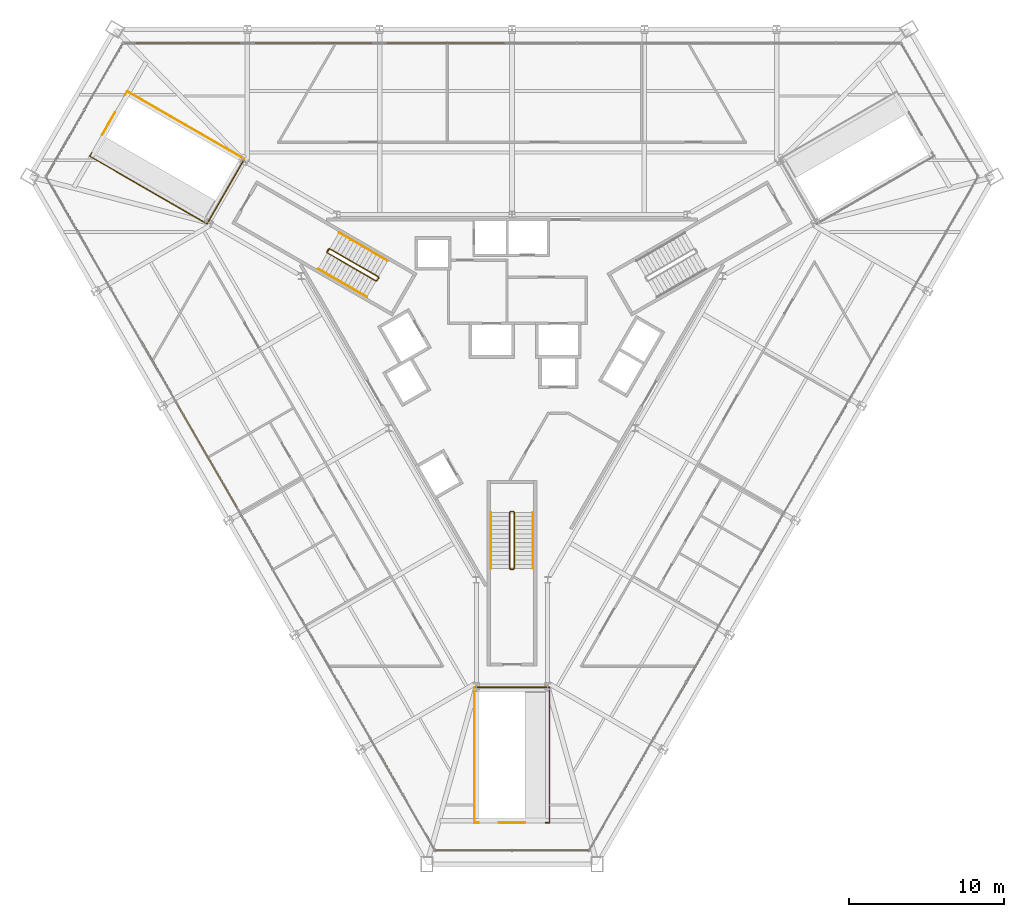
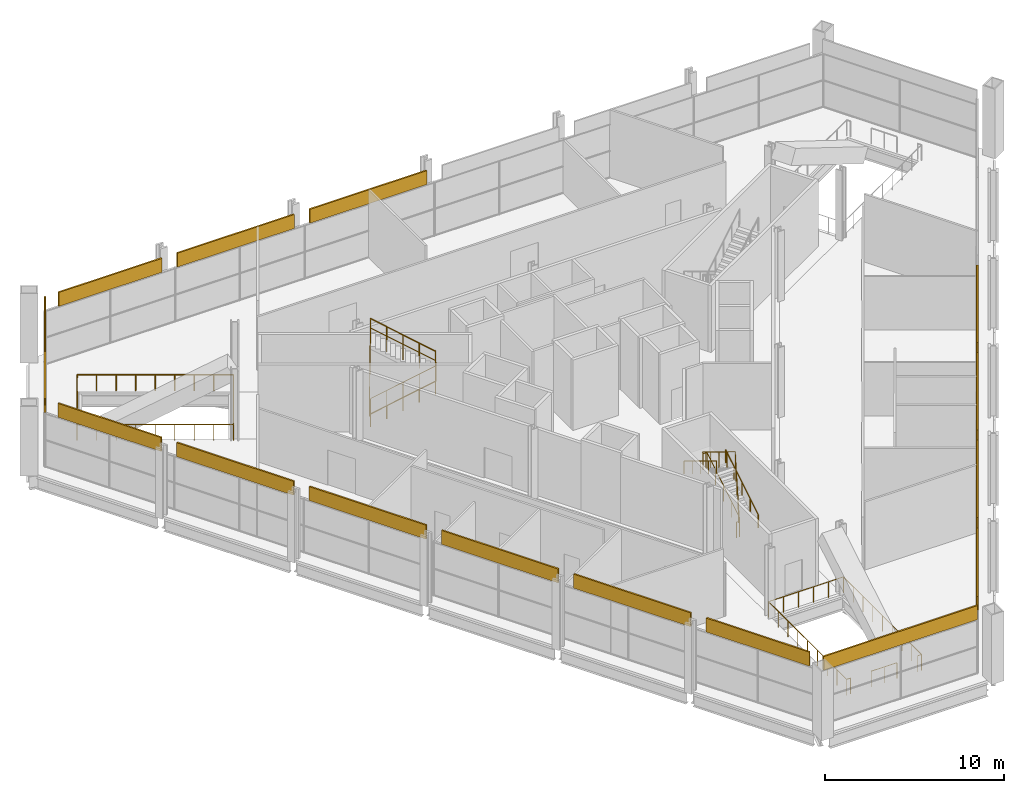
# One storey, part 16 of 18: 15 coverings, 12 railings.
"""IFC4 building model written with IfcOpenShell, lengths in metres."""

from ifc_helpers import new_model, si_unit, direction, frame, origin, origin_2d, place, context, subcontext, project, spatial, rectangle, circle, extrude, material, layer, layer_set, type_object, element, save


model = new_model("IFC4")

# Units and contexts
model_context = context("Model", 3, precision=1e-05, world=origin(), true_north=direction((0.0, 1.0)))
body_context = subcontext(model_context, "Body", "Model", "MODEL_VIEW")
ifc_project = project(units=[si_unit("LENGTHUNIT", "METRE"), si_unit("AREAUNIT", "SQUARE_METRE"), si_unit("VOLUMEUNIT", "CUBIC_METRE"), si_unit("PLANEANGLEUNIT", "RADIAN"), si_unit("MASSUNIT", "GRAM", prefix="KILO")], contexts=[model_context])

# Site, building, storey
site_placement = place(None, origin())
site = spatial("IfcSite", under=ifc_project, at=site_placement, CompositionType="ELEMENT")
building_placement = place(site_placement, origin())
building = spatial("IfcBuilding", under=site, at=building_placement, Name="Verrane Prism Tower", CompositionType="ELEMENT")
storey_placement = place(building_placement, frame((0.0, 0.0, 27.199951171875)))
storey = spatial("IfcBuildingStorey", under=building, at=storey_placement, Name="L04", CompositionType="ELEMENT", Elevation=27.199951171875)

# Coverings
ifc_material_1 = material(Name="Limestone cladding", Category="masonry")
ifc_layer = layer(ifc_material_1, 0.10009765625)
ifc_layer_set = layer_set([ifc_layer], Name="FA-100 stone fascia panel")
covering_type = type_object("IfcCoveringType", Name="FA-100 stone fascia panel", PredefinedType="CLADDING", material=ifc_layer_set)
covering_1_placement = place(storey_placement, frame((-4.280029296875, 20.27001953125, 3.68994140625), z_axis=(0.0, 0.0, 1.0), x_axis=(-1.0, 0.0, 0.0)))
element("IfcCovering", 1, at=covering_1_placement, inside=storey, type_object=covering_type, Name="Stone fascia L04 2.4", PredefinedType="CLADDING", context=body_context, shape_type="SweptSolid", body=[
    extrude(rectangle(XDim=7.56005859375, YDim=0.10009765625, at=origin_2d()), origin(), (0.0, 0.0, 1.0), 0.949951171875),
])
covering_2_placement = place(storey_placement, frame((-12.8349609375, 20.27001953125, 3.68994140625), z_axis=(0.0, 0.0, 1.0), x_axis=(-1.0, 0.0, 0.0)))
element("IfcCovering", 2, at=covering_2_placement, inside=storey, type_object=covering_type, Name="Stone fascia L04 2.5", PredefinedType="CLADDING", context=body_context, shape_type="SweptSolid", body=[
    extrude(rectangle(XDim=7.550048828125, YDim=0.10009765625, at=origin_2d()), origin(), (0.0, 0.0, 1.0), 0.949951171875),
])
covering_3_placement = place(storey_placement, frame((-20.948486328125, 20.27001953125, 3.68994140625), z_axis=(0.0, 0.0, 1.0), x_axis=(-1.0, 0.0, 0.0)))
element("IfcCovering", 3, at=covering_3_placement, inside=storey, type_object=covering_type, Name="Stone fascia L04 2.6", PredefinedType="CLADDING", context=body_context, shape_type="SweptSolid", body=[
    extrude(rectangle(XDim=6.6767578125, YDim=0.10009765625, at=origin_2d()), origin(), (0.0, 0.0, 1.0), 0.949951171875),
])
covering_4_placement = place(storey_placement, frame((-27.63818359375, 15.956787109375, 3.68994140625), z_axis=(0.0, 0.0, 1.0), x_axis=(-0.499999190728, -0.866025871017, 0.0)))
element("IfcCovering", 4, at=covering_4_placement, inside=storey, type_object=covering_type, Name="Stone fascia L04 3.1", PredefinedType="CLADDING", context=body_context, shape_type="SweptSolid", body=[
    extrude(rectangle(XDim=9.960693359375, YDim=0.10009765625, at=origin_2d()), origin(), (0.0, 0.0, 1.0), 0.949951171875),
])
covering_5_placement = place(storey_placement, frame((-28.026123046875, 8.002685546875, 3.68994140625), z_axis=(0.0, 0.0, 1.0), x_axis=(0.500000118955, -0.866025335106, 0.0)))
element("IfcCovering", 5, at=covering_5_placement, inside=storey, type_object=covering_type, Name="Stone fascia L04 4.1", PredefinedType="CLADDING", context=body_context, shape_type="SweptSolid", body=[
    extrude(rectangle(XDim=6.670654296875, YDim=0.10009765625, at=origin_2d()), origin(), (0.0, 0.0, 1.0), 0.949951171875),
])
covering_6_placement = place(storey_placement, frame((-23.96923828125, 0.975830078125, 3.68994140625), z_axis=(0.0, 0.0, 1.0), x_axis=(0.500000118955, -0.866025335106, 0.0)))
element("IfcCovering", 6, at=covering_6_placement, inside=storey, type_object=covering_type, Name="Stone fascia L04 4.2", PredefinedType="CLADDING", context=body_context, shape_type="SweptSolid", body=[
    extrude(rectangle(XDim=7.557373046875, YDim=0.10009765625, at=origin_2d()), origin(), (0.0, 0.0, 1.0), 0.949951171875),
])
covering_7_placement = place(storey_placement, frame((-19.6904296875, -6.43505859375, 3.68994140625), z_axis=(0.0, 0.0, 1.0), x_axis=(0.500000118955, -0.866025335106, 0.0)))
element("IfcCovering", 7, at=covering_7_placement, inside=storey, type_object=covering_type, Name="Stone fascia L04 4.3", PredefinedType="CLADDING", context=body_context, shape_type="SweptSolid", body=[
    extrude(rectangle(XDim=7.55712890625, YDim=0.10009765625, at=origin_2d()), origin(), (0.0, 0.0, 1.0), 0.949951171875),
])
covering_8_placement = place(storey_placement, frame((-15.415283203125, -13.83984375, 3.68994140625), z_axis=(0.0, 0.0, 1.0), x_axis=(0.500000118955, -0.866025335106, 0.0)))
element("IfcCovering", 8, at=covering_8_placement, inside=storey, type_object=covering_type, Name="Stone fascia L04 4.4", PredefinedType="CLADDING", context=body_context, shape_type="SweptSolid", body=[
    extrude(rectangle(XDim=7.543701171875, YDim=0.10009765625, at=origin_2d()), origin(), (0.0, 0.0, 1.0), 0.949951171875),
])
covering_9_placement = place(storey_placement, frame((-11.14013671875, -21.244873046875, 3.68994140625), z_axis=(0.0, 0.0, 1.0), x_axis=(0.500000118955, -0.866025335106, 0.0)))
element("IfcCovering", 9, at=covering_9_placement, inside=storey, type_object=covering_type, Name="Stone fascia L04 4.5", PredefinedType="CLADDING", context=body_context, shape_type="SweptSolid", body=[
    extrude(rectangle(XDim=7.55712890625, YDim=0.10009765625, at=origin_2d()), origin(), (0.0, 0.0, 1.0), 0.949951171875),
])
covering_10_placement = place(storey_placement, frame((-7.081787109375, -28.27392578125, 3.68994140625), z_axis=(0.0, 0.0, 1.0), x_axis=(0.500000118955, -0.866025335106, 0.0)))
element("IfcCovering", 10, at=covering_10_placement, inside=storey, type_object=covering_type, Name="Stone fascia L04 4.6", PredefinedType="CLADDING", context=body_context, shape_type="SweptSolid", body=[
    extrude(rectangle(XDim=6.67578125, YDim=0.10009765625, at=origin_2d()), origin(), (0.0, 0.0, 1.0), 0.949951171875),
])
covering_11_placement = place(storey_placement, frame((0.0, -31.913818359375, 3.68994140625), z_axis=(0.0, 0.0, 1.0), x_axis=(1.0, 0.0, 0.0)))
element("IfcCovering", 11, at=covering_11_placement, inside=storey, type_object=covering_type, Name="Stone fascia L04 5.1", PredefinedType="CLADDING", context=body_context, shape_type="SweptSolid", body=[
    extrude(rectangle(XDim=9.960693359375, YDim=0.10009765625, at=origin_2d()), origin(), (0.0, 0.0, 1.0), 0.949951171875),
])
covering_12_placement = place(storey_placement, frame((7.081787109375, -28.27392578125, 3.68994140625), z_axis=(0.0, 0.0, 1.0), x_axis=(0.500000118955, 0.866025335106, 0.0)))
element("IfcCovering", 12, at=covering_12_placement, inside=storey, type_object=covering_type, Name="Stone fascia L04 6.1", PredefinedType="CLADDING", context=body_context, shape_type="SweptSolid", body=[
    extrude(rectangle(XDim=6.67578125, YDim=0.10009765625, at=origin_2d()), origin(), (0.0, 0.0, 1.0), 0.949951171875),
])
covering_13_placement = place(storey_placement, frame((11.14013671875, -21.244873046875, 3.68994140625), z_axis=(0.0, 0.0, 1.0), x_axis=(0.500000118955, 0.866025335106, 0.0)))
element("IfcCovering", 13, at=covering_13_placement, inside=storey, type_object=covering_type, Name="Stone fascia L04 6.2", PredefinedType="CLADDING", context=body_context, shape_type="SweptSolid", body=[
    extrude(rectangle(XDim=7.55712890625, YDim=0.10009765625, at=origin_2d()), origin(), (0.0, 0.0, 1.0), 0.949951171875),
])
covering_14_placement = place(storey_placement, frame((15.415283203125, -13.83984375, 3.68994140625), z_axis=(0.0, 0.0, 1.0), x_axis=(0.500000118955, 0.866025335106, 0.0)))
element("IfcCovering", 14, at=covering_14_placement, inside=storey, type_object=covering_type, Name="Stone fascia L04 6.3", PredefinedType="CLADDING", context=body_context, shape_type="SweptSolid", body=[
    extrude(rectangle(XDim=7.543701171875, YDim=0.10009765625, at=origin_2d()), origin(), (0.0, 0.0, 1.0), 0.949951171875),
])
covering_15_placement = place(storey_placement, frame((19.6904296875, -6.43505859375, 3.68994140625), z_axis=(0.0, 0.0, 1.0), x_axis=(0.500000118955, 0.866025335106, 0.0)))
element("IfcCovering", 15, at=covering_15_placement, inside=storey, type_object=covering_type, Name="Stone fascia L04 6.4", PredefinedType="CLADDING", context=body_context, shape_type="SweptSolid", body=[
    extrude(rectangle(XDim=7.55712890625, YDim=0.10009765625, at=origin_2d()), origin(), (0.0, 0.0, 1.0), 0.949951171875),
])

# Railings
ifc_material_2 = material(Name="Stainless steel and laminated glass", Category="steel")
railing_type_1 = type_object("IfcRailingType", Name="GR-1100 glass and steel guard", PredefinedType="GUARDRAIL", material=ifc_material_2)
railing_1_placement = place(storey_placement, frame((-17.296875, 12.78076171875, 0.0)))
element("IfcRailing", 16, at=railing_1_placement, inside=storey, type_object=railing_type_1, Name="Guard EW2 L04 1", PredefinedType="GUARDRAIL", context=body_context, shape_type="SweptSolid", body=[
    extrude(circle(Radius=0.02392578125, at=origin_2d()), frame((0.0, 0.0, 1.076171875), z_axis=(-0.866029934428, 0.499992152613, 0.0), x_axis=(-0.499992152613, -0.866029934428, 0.0)), (0.0, 0.0, 1.0), 8.750244140625),
    extrude(circle(Radius=0.02392578125, at=origin_2d()), frame((-7.577880859375, 4.375, 1.076171875), z_axis=(-0.499919672301, -0.866071776036, 0.0), x_axis=(0.866071776036, -0.499919672301, 0.0)), (0.0, 0.0, 1.0), 0.25),
    extrude(circle(Radius=0.02099609375, at=origin_2d()), origin(), (0.0, 0.0, 1.0), 1.052001953125),
    extrude(circle(Radius=0.02099609375, at=origin_2d()), frame((-0.947265625, 0.546875, 0.0)), (0.0, 0.0, 1.0), 1.052001953125),
    extrude(circle(Radius=0.02099609375, at=origin_2d()), frame((-1.89453125, 1.09375, 0.0)), (0.0, 0.0, 1.0), 1.052001953125),
    extrude(circle(Radius=0.02099609375, at=origin_2d()), frame((-2.841796875, 1.640625, 0.0)), (0.0, 0.0, 1.0), 1.052001953125),
    extrude(circle(Radius=0.02099609375, at=origin_2d()), frame((-3.7890625, 2.1875, 0.0)), (0.0, 0.0, 1.0), 1.052001953125),
    extrude(circle(Radius=0.02099609375, at=origin_2d()), frame((-4.736083984375, 2.734375, 0.0)), (0.0, 0.0, 1.0), 1.052001953125),
    extrude(circle(Radius=0.02099609375, at=origin_2d()), frame((-5.683349609375, 3.28125, 0.0)), (0.0, 0.0, 1.0), 1.052001953125),
    extrude(circle(Radius=0.02099609375, at=origin_2d()), frame((-6.630615234375, 3.828125, 0.0)), (0.0, 0.0, 1.0), 1.052001953125),
    extrude(circle(Radius=0.02099609375, at=origin_2d()), frame((-7.577880859375, 4.375, 0.0)), (0.0, 0.0, 1.0), 1.052001953125),
    extrude(circle(Radius=0.02099609375, at=origin_2d()), frame((-7.702880859375, 4.158447265625, 0.0)), (0.0, 0.0, 1.0), 1.052001953125),
])
railing_2_placement = place(storey_placement, frame((-25.669677734375, 15.77880859375, 0.0)))
element("IfcRailing", 17, at=railing_2_placement, inside=storey, type_object=railing_type_1, Name="Guard EW2 L04 2", PredefinedType="GUARDRAIL", context=body_context, shape_type="SweptSolid", body=[
    extrude(circle(Radius=0.02392578125, at=origin_2d()), frame((0.0, 0.0, 1.076171875), z_axis=(-0.500061949227, -0.865989634427, 0.0), x_axis=(0.865989634427, -0.500061949227, 0.0)), (0.0, 0.0, 1.0), 1.659912109375),
    extrude(circle(Radius=0.02099609375, at=origin_2d()), origin(), (0.0, 0.0, 1.0), 1.052001953125),
    extrude(circle(Radius=0.02099609375, at=origin_2d()), frame((-0.4150390625, -0.71875, 0.0)), (0.0, 0.0, 1.0), 1.052001953125),
    extrude(circle(Radius=0.02099609375, at=origin_2d()), frame((-0.830078125, -1.4375, 0.0)), (0.0, 0.0, 1.0), 1.052001953125),
])
railing_3_placement = place(storey_placement, frame((-27.169677734375, 13.1806640625, 0.0)))
element("IfcRailing", 18, at=railing_3_placement, inside=storey, type_object=railing_type_1, Name="Guard EW2 L04 3", PredefinedType="GUARDRAIL", context=body_context, shape_type="SweptSolid", body=[
    extrude(circle(Radius=0.02392578125, at=origin_2d()), frame((0.0, 0.0, 1.076171875), z_axis=(-0.499919672301, -0.866071776036, 0.0), x_axis=(0.866071776036, -0.499919672301, 0.0)), (0.0, 0.0, 1.0), 0.25),
    extrude(circle(Radius=0.02392578125, at=origin_2d()), frame((-0.125, -0.216552734375, 1.076171875), z_axis=(0.866022959057, -0.500004234368, 0.0), x_axis=(0.500004234368, 0.866022959057, 0.0)), (0.0, 0.0, 1.0), 8.75),
    extrude(circle(Radius=0.02392578125, at=origin_2d()), frame((7.45263671875, -4.591552734375, 1.076171875), z_axis=(0.50001790234, 0.866015067617, 0.0), x_axis=(-0.866015067617, 0.50001790234, 0.0)), (0.0, 0.0, 1.0), 4.840087890625),
    extrude(circle(Radius=0.02099609375, at=origin_2d()), origin(), (0.0, 0.0, 1.0), 1.052001953125),
    extrude(circle(Radius=0.02099609375, at=origin_2d()), frame((-0.125, -0.216552734375, 0.0)), (0.0, 0.0, 1.0), 1.052001953125),
    extrude(circle(Radius=0.02099609375, at=origin_2d()), frame((0.822265625, -0.763427734375, 0.0)), (0.0, 0.0, 1.0), 1.052001953125),
    extrude(circle(Radius=0.02099609375, at=origin_2d()), frame((1.76953125, -1.310302734375, 0.0)), (0.0, 0.0, 1.0), 1.052001953125),
    extrude(circle(Radius=0.02099609375, at=origin_2d()), frame((2.716552734375, -1.857177734375, 0.0)), (0.0, 0.0, 1.0), 1.052001953125),
    extrude(circle(Radius=0.02099609375, at=origin_2d()), frame((3.663818359375, -2.404052734375, 0.0)), (0.0, 0.0, 1.0), 1.052001953125),
    extrude(circle(Radius=0.02099609375, at=origin_2d()), frame((4.611083984375, -2.950927734375, 0.0)), (0.0, 0.0, 1.0), 1.052001953125),
    extrude(circle(Radius=0.02099609375, at=origin_2d()), frame((5.55810546875, -3.497802734375, 0.0)), (0.0, 0.0, 1.0), 1.052001953125),
    extrude(circle(Radius=0.02099609375, at=origin_2d()), frame((6.50537109375, -4.044677734375, 0.0)), (0.0, 0.0, 1.0), 1.052001953125),
    extrude(circle(Radius=0.02099609375, at=origin_2d()), frame((7.45263671875, -4.591552734375, 0.0)), (0.0, 0.0, 1.0), 1.052001953125),
    extrude(circle(Radius=0.02099609375, at=origin_2d()), frame((7.936767578125, -3.753173828125, 0.0)), (0.0, 0.0, 1.0), 1.052001953125),
    extrude(circle(Radius=0.02099609375, at=origin_2d()), frame((8.420654296875, -2.914794921875, 0.0)), (0.0, 0.0, 1.0), 1.052001953125),
    extrude(circle(Radius=0.02099609375, at=origin_2d()), frame((8.90478515625, -2.07666015625, 0.0)), (0.0, 0.0, 1.0), 1.052001953125),
    extrude(circle(Radius=0.02099609375, at=origin_2d()), frame((9.388671875, -1.23828125, 0.0)), (0.0, 0.0, 1.0), 1.052001953125),
    extrude(circle(Radius=0.02099609375, at=origin_2d()), frame((9.872802734375, -0.39990234375, 0.0)), (0.0, 0.0, 1.0), 1.052001953125),
])
railing_4_placement = place(storey_placement, frame((-2.419921875, -21.3701171875, 0.0)))
element("IfcRailing", 19, at=railing_4_placement, inside=storey, type_object=railing_type_1, Name="Guard EW3 L04 1", PredefinedType="GUARDRAIL", context=body_context, shape_type="SweptSolid", body=[
    extrude(circle(Radius=0.02392578125, at=origin_2d()), frame((0.0, 0.0, 1.076171875), z_axis=(0.0, -1.0, 0.0), x_axis=(1.0, 0.0, 0.0)), (0.0, 0.0, 1.0), 8.75),
    extrude(circle(Radius=0.02392578125, at=origin_2d()), frame((0.0, -8.75, 1.076171875), z_axis=(1.0, 0.0, 0.0), x_axis=(0.0, 1.0, 0.0)), (0.0, 0.0, 1.0), 0.25),
    extrude(circle(Radius=0.02099609375, at=origin_2d()), origin(), (0.0, 0.0, 1.0), 1.052001953125),
    extrude(circle(Radius=0.02099609375, at=origin_2d()), frame((0.0, -1.09375, 0.0)), (0.0, 0.0, 1.0), 1.052001953125),
    extrude(circle(Radius=0.02099609375, at=origin_2d()), frame((0.0, -2.1875, 0.0)), (0.0, 0.0, 1.0), 1.052001953125),
    extrude(circle(Radius=0.02099609375, at=origin_2d()), frame((0.0, -3.28125, 0.0)), (0.0, 0.0, 1.0), 1.052001953125),
    extrude(circle(Radius=0.02099609375, at=origin_2d()), frame((0.0, -4.375, 0.0)), (0.0, 0.0, 1.0), 1.052001953125),
    extrude(circle(Radius=0.02099609375, at=origin_2d()), frame((0.0, -5.46875, 0.0)), (0.0, 0.0, 1.0), 1.052001953125),
    extrude(circle(Radius=0.02099609375, at=origin_2d()), frame((0.0, -6.5625, 0.0)), (0.0, 0.0, 1.0), 1.052001953125),
    extrude(circle(Radius=0.02099609375, at=origin_2d()), frame((0.0, -7.65625, 0.0)), (0.0, 0.0, 1.0), 1.052001953125),
    extrude(circle(Radius=0.02099609375, at=origin_2d()), frame((0.0, -8.75, 0.0)), (0.0, 0.0, 1.0), 1.052001953125),
    extrude(circle(Radius=0.02099609375, at=origin_2d()), frame((0.25, -8.75, 0.0)), (0.0, 0.0, 1.0), 1.052001953125),
])
railing_5_placement = place(storey_placement, frame((-0.830078125, -30.1201171875, 0.0)))
element("IfcRailing", 20, at=railing_5_placement, inside=storey, type_object=railing_type_1, Name="Guard EW3 L04 2", PredefinedType="GUARDRAIL", context=body_context, shape_type="SweptSolid", body=[
    extrude(circle(Radius=0.02392578125, at=origin_2d()), frame((0.0, 0.0, 1.076171875), z_axis=(1.0, 0.0, 0.0), x_axis=(0.0, 1.0, 0.0)), (0.0, 0.0, 1.0), 1.66015625),
    extrude(circle(Radius=0.02099609375, at=origin_2d()), origin(), (0.0, 0.0, 1.0), 1.052001953125),
    extrude(circle(Radius=0.02099609375, at=origin_2d()), frame((0.830078125, 0.0, 0.0)), (0.0, 0.0, 1.0), 1.052001953125),
    extrude(circle(Radius=0.02099609375, at=origin_2d()), frame((1.66015625, 0.0, 0.0)), (0.0, 0.0, 1.0), 1.052001953125),
])
railing_6_placement = place(storey_placement, frame((2.169921875, -30.1201171875, 0.0)))
element("IfcRailing", 21, at=railing_6_placement, inside=storey, type_object=railing_type_1, Name="Guard EW3 L04 3", PredefinedType="GUARDRAIL", context=body_context, shape_type="SweptSolid", body=[
    extrude(circle(Radius=0.02392578125, at=origin_2d()), frame((0.0, 0.0, 1.076171875), z_axis=(1.0, 0.0, 0.0), x_axis=(0.0, 1.0, 0.0)), (0.0, 0.0, 1.0), 0.25),
    extrude(circle(Radius=0.02392578125, at=origin_2d()), frame((0.25, 0.0, 1.076171875), z_axis=(0.0, 1.0, 0.0), x_axis=(-1.0, 0.0, 0.0)), (0.0, 0.0, 1.0), 8.75),
    extrude(circle(Radius=0.02392578125, at=origin_2d()), frame((0.25, 8.75, 1.076171875), z_axis=(-1.0, 0.0, 0.0), x_axis=(0.0, -1.0, 0.0)), (0.0, 0.0, 1.0), 4.83984375),
    extrude(circle(Radius=0.02099609375, at=origin_2d()), origin(), (0.0, 0.0, 1.0), 1.052001953125),
    extrude(circle(Radius=0.02099609375, at=origin_2d()), frame((0.25, 0.0, 0.0)), (0.0, 0.0, 1.0), 1.052001953125),
    extrude(circle(Radius=0.02099609375, at=origin_2d()), frame((0.25, 1.09375, 0.0)), (0.0, 0.0, 1.0), 1.052001953125),
    extrude(circle(Radius=0.02099609375, at=origin_2d()), frame((0.25, 2.1875, 0.0)), (0.0, 0.0, 1.0), 1.052001953125),
    extrude(circle(Radius=0.02099609375, at=origin_2d()), frame((0.25, 3.28125, 0.0)), (0.0, 0.0, 1.0), 1.052001953125),
    extrude(circle(Radius=0.02099609375, at=origin_2d()), frame((0.25, 4.375, 0.0)), (0.0, 0.0, 1.0), 1.052001953125),
    extrude(circle(Radius=0.02099609375, at=origin_2d()), frame((0.25, 5.46875, 0.0)), (0.0, 0.0, 1.0), 1.052001953125),
    extrude(circle(Radius=0.02099609375, at=origin_2d()), frame((0.25, 6.5625, 0.0)), (0.0, 0.0, 1.0), 1.052001953125),
    extrude(circle(Radius=0.02099609375, at=origin_2d()), frame((0.25, 7.65625, 0.0)), (0.0, 0.0, 1.0), 1.052001953125),
    extrude(circle(Radius=0.02099609375, at=origin_2d()), frame((0.25, 8.75, 0.0)), (0.0, 0.0, 1.0), 1.052001953125),
    extrude(circle(Radius=0.02099609375, at=origin_2d()), frame((-0.718017578125, 8.75, 0.0)), (0.0, 0.0, 1.0), 1.052001953125),
    extrude(circle(Radius=0.02099609375, at=origin_2d()), frame((-1.68603515625, 8.75, 0.0)), (0.0, 0.0, 1.0), 1.052001953125),
    extrude(circle(Radius=0.02099609375, at=origin_2d()), frame((-2.65380859375, 8.75, 0.0)), (0.0, 0.0, 1.0), 1.052001953125),
    extrude(circle(Radius=0.02099609375, at=origin_2d()), frame((-3.621826171875, 8.75, 0.0)), (0.0, 0.0, 1.0), 1.052001953125),
    extrude(circle(Radius=0.02099609375, at=origin_2d()), frame((-4.58984375, 8.75, 0.0)), (0.0, 0.0, 1.0), 1.052001953125),
])
ifc_material_3 = material(Name="Steel A36 rail and posts, no infill", Category="steel")
railing_type_2 = type_object("IfcRailingType", Name="Stair guard 1100 steel rail and posts", PredefinedType="GUARDRAIL", material=ifc_material_3)
railing_7_placement = place(storey_placement, frame((-11.939453125, 6.72021484375, 0.17138671875)))
element("IfcRailing", 22, at=railing_7_placement, inside=storey, type_object=railing_type_2, Name="Stair 2 guard", PredefinedType="GUARDRAIL", context=body_context, shape_type="SweptSolid", body=[
    extrude(circle(Radius=0.02392578125, at=origin_2d()), frame((0.0, 0.0, 1.076171875), z_axis=(0.738570033827, -0.426428098062, 0.522181369177), x_axis=(0.500012742938, 0.866018046521, 0.0)), (0.0, 0.0, 1.0), 4.26806640625),
    extrude(circle(Radius=0.02392578125, at=origin_2d()), frame((3.15234375, -1.820068359375, 3.3046875), z_axis=(0.965715946433, 0.259601060869, 0.0), x_axis=(-0.259601060869, 0.965715946433, 0.0)), (0.0, 0.0, 1.0), 0.070556640625),
    extrude(circle(Radius=0.02392578125, at=origin_2d()), frame((3.220458984375, -1.8017578125, 3.3046875), z_axis=(0.500603037456, 0.865676959893, 0.0), x_axis=(-0.865676959893, 0.500603037456, 0.0)), (0.0, 0.0, 1.0), 0.199951171875),
    extrude(circle(Radius=0.02392578125, at=origin_2d()), frame((3.320556640625, -1.628662109375, 3.3046875), z_axis=(-0.098750140047, 0.368667189509, 0.92430131084), x_axis=(-0.965948051503, -0.258736085224, 0.0)), (0.0, 0.0, 1.0), 0.185302734375),
    extrude(circle(Radius=0.02392578125, at=origin_2d()), frame((3.30224609375, -1.560302734375, 3.47607421875), z_axis=(-0.738592093898, 0.426440834883, 0.522139764025), x_axis=(-0.500012742938, -0.866018046521, 0.0)), (0.0, 0.0, 1.0), 4.26806640625),
    extrude(circle(Radius=0.02392578125, at=origin_2d()), frame((0.14990234375, 0.259765625, 5.70458984375), z_axis=(-0.034994649086, -0.039870536332, -0.998591866013), x_axis=(0.751567565678, -0.659656118156, 0.0)), (0.0, 0.0, 1.0), 4.806884765625),
    extrude(circle(Radius=0.02392578125, at=origin_2d()), frame((-0.018310546875, 0.068115234375, 0.90478515625), z_axis=(0.499158860599, 0.866510491504, 0.0), x_axis=(-0.866510491504, 0.499158860599, 0.0)), (0.0, 0.0, 1.0), 0.199951171875),
    extrude(circle(Radius=0.02099609375, at=origin_2d()), origin(), (0.0, 0.0, 1.0), 1.052001953125),
    extrude(circle(Radius=0.02099609375, at=origin_2d()), frame((0.7880859375, -0.455078125, 0.55712890625)), (0.0, 0.0, 1.0), 1.052001953125),
    extrude(circle(Radius=0.02099609375, at=origin_2d()), frame((1.576171875, -0.91015625, 1.1142578125)), (0.0, 0.0, 1.0), 1.052001953125),
    extrude(circle(Radius=0.02099609375, at=origin_2d()), frame((2.3642578125, -1.364990234375, 1.671630859375)), (0.0, 0.0, 1.0), 1.052001953125),
    extrude(circle(Radius=0.02099609375, at=origin_2d()), frame((3.15234375, -1.820068359375, 2.228759765625)), (0.0, 0.0, 1.0), 1.052001953125),
    extrude(circle(Radius=0.02099609375, at=origin_2d()), frame((3.220458984375, -1.8017578125, 2.228759765625)), (0.0, 0.0, 1.0), 1.052001953125),
    extrude(circle(Radius=0.02099609375, at=origin_2d()), frame((3.320556640625, -1.628662109375, 2.228759765625)), (0.0, 0.0, 1.0), 1.052001953125),
    extrude(circle(Radius=0.02099609375, at=origin_2d()), frame((3.30224609375, -1.560302734375, 2.400146484375)), (0.0, 0.0, 1.0), 1.052001953125),
    extrude(circle(Radius=0.02099609375, at=origin_2d()), frame((2.51416015625, -1.105224609375, 2.957275390625)), (0.0, 0.0, 1.0), 1.052001953125),
    extrude(circle(Radius=0.02099609375, at=origin_2d()), frame((1.72607421875, -0.650390625, 3.514404296875)), (0.0, 0.0, 1.0), 1.052001953125),
    extrude(circle(Radius=0.02099609375, at=origin_2d()), frame((0.93798828125, -0.1953125, 4.071533203125)), (0.0, 0.0, 1.0), 1.052001953125),
    extrude(circle(Radius=0.02099609375, at=origin_2d()), frame((0.14990234375, 0.259765625, 4.628662109375)), (0.0, 0.0, 1.0), 1.052001953125),
    extrude(circle(Radius=0.02099609375, at=origin_2d()), frame((0.1162109375, 0.221435546875, 3.668701171875)), (0.0, 0.0, 1.0), 1.052001953125),
    extrude(circle(Radius=0.02099609375, at=origin_2d()), frame((0.08251953125, 0.18310546875, 2.708740234375)), (0.0, 0.0, 1.0), 1.052001953125),
    extrude(circle(Radius=0.02099609375, at=origin_2d()), frame((0.049072265625, 0.144775390625, 1.74853515625)), (0.0, 0.0, 1.0), 1.052001953125),
    extrude(circle(Radius=0.02099609375, at=origin_2d()), frame((0.015380859375, 0.1064453125, 0.78857421875)), (0.0, 0.0, 1.0), 1.052001953125),
    extrude(circle(Radius=0.02099609375, at=origin_2d()), frame((-0.018310546875, 0.068115234375, -0.17138671875)), (0.0, 0.0, 1.0), 1.052001953125),
    extrude(circle(Radius=0.02099609375, at=origin_2d()), frame((0.08154296875, 0.241455078125, -0.17138671875)), (0.0, 0.0, 1.0), 1.052001953125),
])
railing_8_placement = place(storey_placement, frame((0.14990234375, -13.699951171875, 0.17138671875)))
element("IfcRailing", 23, at=railing_8_placement, inside=storey, type_object=railing_type_2, Name="Stair 3 guard", PredefinedType="GUARDRAIL", context=body_context, shape_type="SweptSolid", body=[
    extrude(circle(Radius=0.02392578125, at=origin_2d()), frame((0.0, 0.0, 1.076171875), z_axis=(0.0, 0.852824790078, 0.522197163366), x_axis=(-1.0, 0.0, 0.0)), (0.0, 0.0, 1.0), 4.26806640625),
    extrude(circle(Radius=0.02392578125, at=origin_2d()), frame((0.0, 3.639892578125, 3.3046875), z_axis=(-0.705375805398, 0.708833529934, 0.0), x_axis=(-0.708833529934, -0.705375805398, 0.0)), (0.0, 0.0, 1.0), 0.070556640625),
    extrude(circle(Radius=0.02392578125, at=origin_2d()), frame((-0.0498046875, 3.68994140625, 3.3046875), z_axis=(-1.0, 0.0, 0.0), x_axis=(0.0, -1.0, 0.0)), (0.0, 0.0, 1.0), 0.2001953125),
    extrude(circle(Radius=0.02392578125, at=origin_2d()), frame((-0.25, 3.68994140625, 3.3046875), z_axis=(-0.268689830376, -0.270006937388, 0.924609122178), x_axis=(0.708833529934, -0.705375805398, 0.0)), (0.0, 0.0, 1.0), 0.185302734375),
    extrude(circle(Radius=0.02392578125, at=origin_2d()), frame((-0.2998046875, 3.639892578125, 3.47607421875), z_axis=(0.0, -0.852850264322, 0.5221555579), x_axis=(1.0, 0.0, 0.0)), (0.0, 0.0, 1.0), 4.267822265625),
    extrude(circle(Radius=0.02392578125, at=origin_2d()), frame((-0.2998046875, 0.0, 5.70458984375), z_axis=(0.052009487098, -0.010412055523, -0.998592310381), x_axis=(0.196300278283, 0.98054382908, 0.0)), (0.0, 0.0, 1.0), 4.806884765625),
    extrude(circle(Radius=0.02392578125, at=origin_2d()), frame((-0.0498046875, -0.050048828125, 0.90478515625), z_axis=(-1.0, 0.0, 0.0), x_axis=(0.0, -1.0, 0.0)), (0.0, 0.0, 1.0), 0.2001953125),
    extrude(circle(Radius=0.02099609375, at=origin_2d()), origin(), (0.0, 0.0, 1.0), 1.052001953125),
    extrude(circle(Radius=0.02099609375, at=origin_2d()), frame((0.0, 0.909912109375, 0.55712890625)), (0.0, 0.0, 1.0), 1.052001953125),
    extrude(circle(Radius=0.02099609375, at=origin_2d()), frame((0.0, 1.81982421875, 1.1142578125)), (0.0, 0.0, 1.0), 1.052001953125),
    extrude(circle(Radius=0.02099609375, at=origin_2d()), frame((0.0, 2.72998046875, 1.671630859375)), (0.0, 0.0, 1.0), 1.052001953125),
    extrude(circle(Radius=0.02099609375, at=origin_2d()), frame((0.0, 3.639892578125, 2.228759765625)), (0.0, 0.0, 1.0), 1.052001953125),
    extrude(circle(Radius=0.02099609375, at=origin_2d()), frame((-0.0498046875, 3.68994140625, 2.228759765625)), (0.0, 0.0, 1.0), 1.052001953125),
    extrude(circle(Radius=0.02099609375, at=origin_2d()), frame((-0.25, 3.68994140625, 2.228759765625)), (0.0, 0.0, 1.0), 1.052001953125),
    extrude(circle(Radius=0.02099609375, at=origin_2d()), frame((-0.2998046875, 3.639892578125, 2.400146484375)), (0.0, 0.0, 1.0), 1.052001953125),
    extrude(circle(Radius=0.02099609375, at=origin_2d()), frame((-0.2998046875, 2.72998046875, 2.957275390625)), (0.0, 0.0, 1.0), 1.052001953125),
    extrude(circle(Radius=0.02099609375, at=origin_2d()), frame((-0.2998046875, 1.81982421875, 3.514404296875)), (0.0, 0.0, 1.0), 1.052001953125),
    extrude(circle(Radius=0.02099609375, at=origin_2d()), frame((-0.2998046875, 0.909912109375, 4.071533203125)), (0.0, 0.0, 1.0), 1.052001953125),
    extrude(circle(Radius=0.02099609375, at=origin_2d()), frame((-0.2998046875, 0.0, 4.628662109375)), (0.0, 0.0, 1.0), 1.052001953125),
    extrude(circle(Radius=0.02099609375, at=origin_2d()), frame((-0.249755859375, -0.010009765625, 3.668701171875)), (0.0, 0.0, 1.0), 1.052001953125),
    extrude(circle(Radius=0.02099609375, at=origin_2d()), frame((-0.19970703125, -0.02001953125, 2.708740234375)), (0.0, 0.0, 1.0), 1.052001953125),
    extrude(circle(Radius=0.02099609375, at=origin_2d()), frame((-0.14990234375, -0.030029296875, 1.74853515625)), (0.0, 0.0, 1.0), 1.052001953125),
    extrude(circle(Radius=0.02099609375, at=origin_2d()), frame((-0.099853515625, -0.0400390625, 0.78857421875)), (0.0, 0.0, 1.0), 1.052001953125),
    extrude(circle(Radius=0.02099609375, at=origin_2d()), frame((-0.0498046875, -0.050048828125, -0.17138671875)), (0.0, 0.0, 1.0), 1.052001953125),
    extrude(circle(Radius=0.02099609375, at=origin_2d()), frame((-0.25, -0.050048828125, -0.17138671875)), (0.0, 0.0, 1.0), 1.052001953125),
])
ifc_material_4 = material(Name="Steel A36 tube", Category="steel")
railing_type_3 = type_object("IfcRailingType", Name="Stair handrail 900 steel tube", PredefinedType="HANDRAIL", material=ifc_material_4)
railing_9_placement = place(storey_placement, frame((-12.53955078125, 5.680908203125, 0.17138671875)))
element("IfcRailing", 24, at=railing_9_placement, inside=storey, type_object=railing_type_3, Name="Stair 2 handrail", PredefinedType="HANDRAIL", context=body_context, shape_type="SweptSolid", body=[
    extrude(circle(Radius=0.02392578125, at=origin_2d()), frame((0.0, 0.0, 0.8759765625), z_axis=(0.738570033827, -0.426428098062, 0.522181369177), x_axis=(0.500012742938, 0.866018046521, 0.0)), (0.0, 0.0, 1.0), 4.26806640625),
    extrude(circle(Radius=0.02099609375, at=origin_2d()), origin(), (0.0, 0.0, 1.0), 0.851806640625),
    extrude(circle(Radius=0.02099609375, at=origin_2d()), frame((0.7880859375, -0.455078125, 0.55712890625)), (0.0, 0.0, 1.0), 0.851806640625),
    extrude(circle(Radius=0.02099609375, at=origin_2d()), frame((1.576171875, -0.91015625, 1.1142578125)), (0.0, 0.0, 1.0), 0.851806640625),
    extrude(circle(Radius=0.02099609375, at=origin_2d()), frame((2.3642578125, -1.364990234375, 1.671630859375)), (0.0, 0.0, 1.0), 0.851806640625),
    extrude(circle(Radius=0.02099609375, at=origin_2d()), frame((3.15234375, -1.820068359375, 2.228759765625)), (0.0, 0.0, 1.0), 0.851806640625),
])
railing_10_placement = place(storey_placement, frame((-8.037109375, 6.19921875, 2.571533203125)))
element("IfcRailing", 25, at=railing_10_placement, inside=storey, type_object=railing_type_3, Name="Stair 2 handrail", PredefinedType="HANDRAIL", context=body_context, shape_type="SweptSolid", body=[
    extrude(circle(Radius=0.02392578125, at=origin_2d()), frame((0.0, 0.0, 0.8759765625), z_axis=(-0.738610110021, 0.426394033464, 0.52215250033), x_axis=(-0.499962438169, -0.866047089031, 0.0)), (0.0, 0.0, 1.0), 4.267822265625),
    extrude(circle(Radius=0.02099609375, at=origin_2d()), origin(), (0.0, 0.0, 1.0), 0.851806640625),
    extrude(circle(Radius=0.02099609375, at=origin_2d()), frame((-0.7880859375, 0.455078125, 0.55712890625)), (0.0, 0.0, 1.0), 0.851806640625),
    extrude(circle(Radius=0.02099609375, at=origin_2d()), frame((-1.576171875, 0.909912109375, 1.1142578125)), (0.0, 0.0, 1.0), 0.851806640625),
    extrude(circle(Radius=0.02099609375, at=origin_2d()), frame((-2.3642578125, 1.36474609375, 1.67138671875)), (0.0, 0.0, 1.0), 0.851806640625),
    extrude(circle(Radius=0.02099609375, at=origin_2d()), frame((-3.15234375, 1.81982421875, 2.228515625)), (0.0, 0.0, 1.0), 0.851806640625),
])
railing_11_placement = place(storey_placement, frame((1.35009765625, -13.699951171875, 0.17138671875)))
element("IfcRailing", 26, at=railing_11_placement, inside=storey, type_object=railing_type_3, Name="Stair 3 handrail", PredefinedType="HANDRAIL", context=body_context, shape_type="SweptSolid", body=[
    extrude(circle(Radius=0.02392578125, at=origin_2d()), frame((0.0, 0.0, 0.8759765625), z_axis=(0.0, 0.852824790078, 0.522197163366), x_axis=(-1.0, 0.0, 0.0)), (0.0, 0.0, 1.0), 4.26806640625),
    extrude(circle(Radius=0.02099609375, at=origin_2d()), origin(), (0.0, 0.0, 1.0), 0.851806640625),
    extrude(circle(Radius=0.02099609375, at=origin_2d()), frame((0.0, 0.909912109375, 0.55712890625)), (0.0, 0.0, 1.0), 0.851806640625),
    extrude(circle(Radius=0.02099609375, at=origin_2d()), frame((0.0, 1.81982421875, 1.1142578125)), (0.0, 0.0, 1.0), 0.851806640625),
    extrude(circle(Radius=0.02099609375, at=origin_2d()), frame((0.0, 2.72998046875, 1.671630859375)), (0.0, 0.0, 1.0), 0.851806640625),
    extrude(circle(Radius=0.02099609375, at=origin_2d()), frame((0.0, 3.639892578125, 2.228759765625)), (0.0, 0.0, 1.0), 0.851806640625),
])
railing_12_placement = place(storey_placement, frame((-1.35009765625, -10.06005859375, 2.571533203125)))
element("IfcRailing", 27, at=railing_12_placement, inside=storey, type_object=railing_type_3, Name="Stair 3 handrail", PredefinedType="HANDRAIL", context=body_context, shape_type="SweptSolid", body=[
    extrude(circle(Radius=0.02392578125, at=origin_2d()), frame((0.0, 0.0, 0.8759765625), z_axis=(0.0, -0.852850264322, 0.5221555579), x_axis=(1.0, 0.0, 0.0)), (0.0, 0.0, 1.0), 4.267822265625),
    extrude(circle(Radius=0.02099609375, at=origin_2d()), origin(), (0.0, 0.0, 1.0), 0.851806640625),
    extrude(circle(Radius=0.02099609375, at=origin_2d()), frame((0.0, -0.909912109375, 0.55712890625)), (0.0, 0.0, 1.0), 0.851806640625),
    extrude(circle(Radius=0.02099609375, at=origin_2d()), frame((0.0, -1.81982421875, 1.1142578125)), (0.0, 0.0, 1.0), 0.851806640625),
    extrude(circle(Radius=0.02099609375, at=origin_2d()), frame((0.0, -2.72998046875, 1.67138671875)), (0.0, 0.0, 1.0), 0.851806640625),
    extrude(circle(Radius=0.02099609375, at=origin_2d()), frame((0.0, -3.639892578125, 2.228515625)), (0.0, 0.0, 1.0), 0.851806640625),
])

save(model, "model.ifc")
